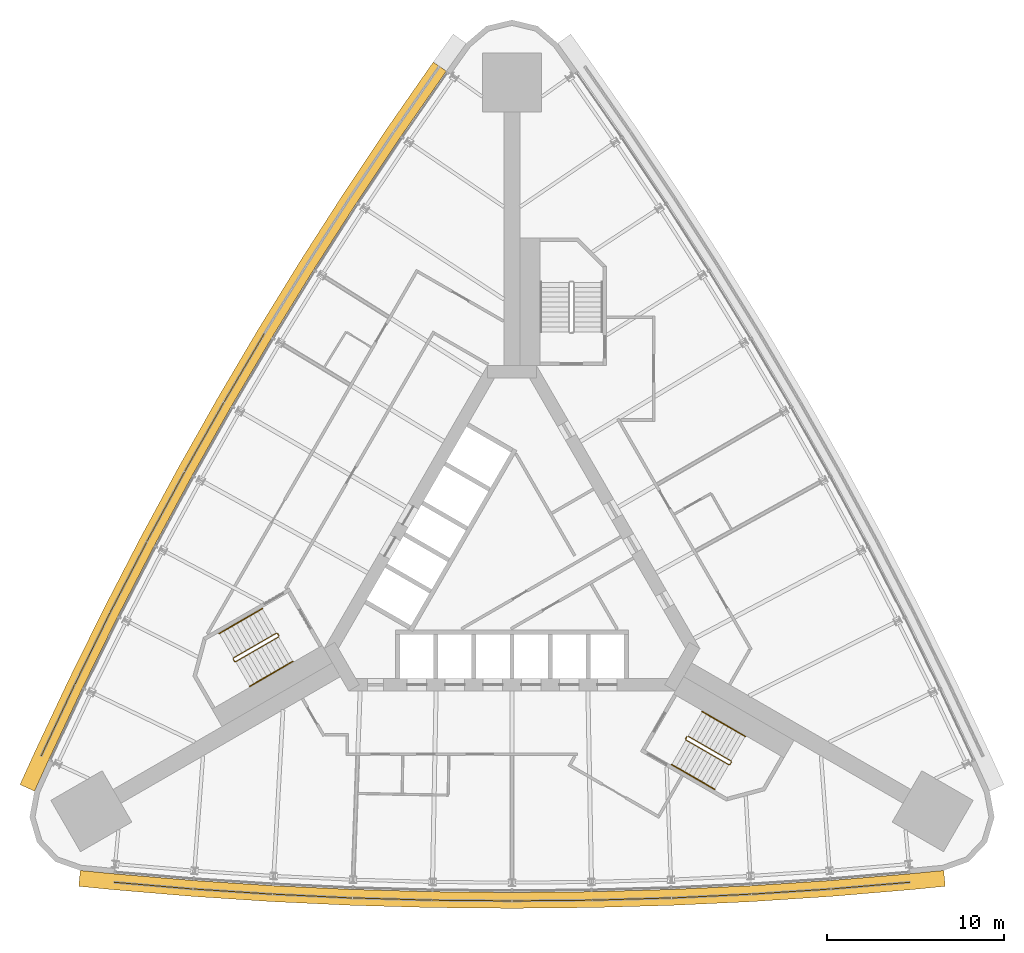
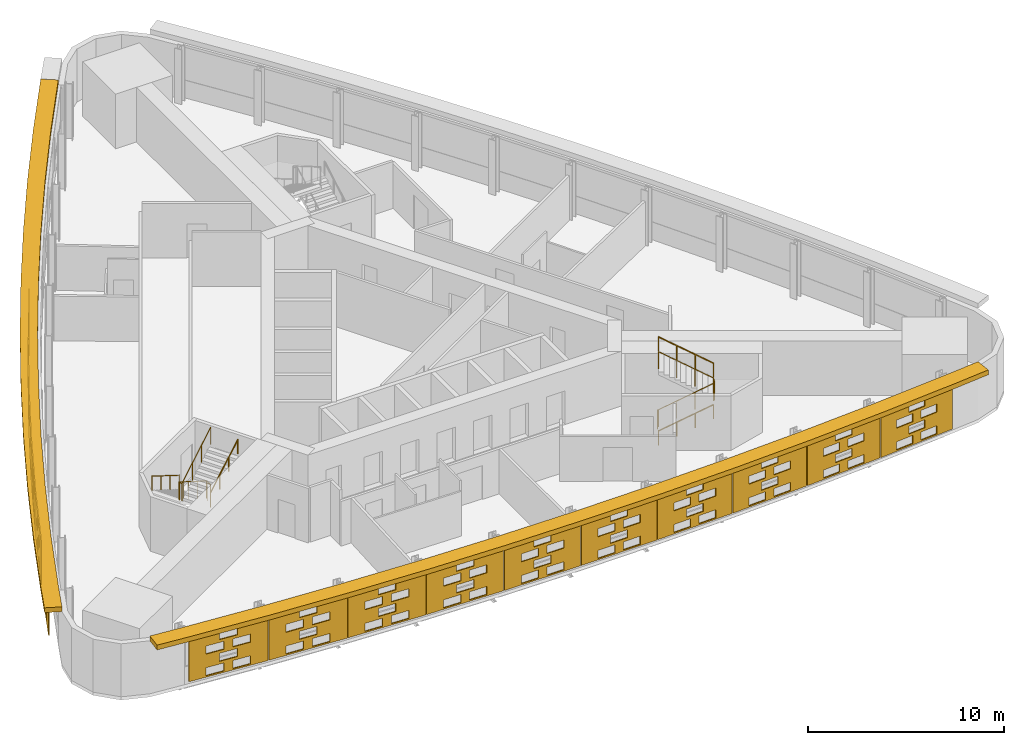
# One storey, part 13 of 14: 18 shading devices, 6 railings.
"""IFC4 building model written with IfcOpenShell, lengths in metres."""

from ifc_helpers import new_model, si_unit, direction, frame, origin, origin_2d, place, context, subcontext, project, spatial, polyline, circle, outline, extrude, material, material_profile, profile_set, type_object, element, save


model = new_model("IFC4")

# Units and contexts
model_context = context("Model", 3, precision=1e-05, world=origin(), true_north=direction((0.0, 1.0)))
body_context = subcontext(model_context, "Body", "Model", "MODEL_VIEW")
ifc_project = project(units=[si_unit("LENGTHUNIT", "METRE"), si_unit("AREAUNIT", "SQUARE_METRE"), si_unit("VOLUMEUNIT", "CUBIC_METRE"), si_unit("PLANEANGLEUNIT", "RADIAN"), si_unit("MASSUNIT", "GRAM", prefix="KILO")], contexts=[model_context])

# Site, building, storey
site_placement = place(None, origin())
site = spatial("IfcSite", under=ifc_project, at=site_placement, CompositionType="ELEMENT")
building_placement = place(site_placement, origin())
building = spatial("IfcBuilding", under=site, at=building_placement, Name="Noor Cloister Tower", CompositionType="ELEMENT")
storey_placement = place(building_placement, frame((0.0, 0.0, 42.0)))
storey = spatial("IfcBuildingStorey", under=building, at=storey_placement, Name="L10", CompositionType="ELEMENT", Elevation=42.0)

# Shading devices
ifc_material_1 = material(Name="Limestone", Category="masonry")
ifc_material_profile = material_profile(ifc_material_1, outline(polyline([(-2.22998046875, -1.35009765625), (2.22998046875, -1.35009765625), (2.22998046875, 1.35009765625), (-2.22998046875, 1.35009765625), (-2.22998046875, -1.35009765625)]), holes=[polyline([(-1.25, -1.263427734375), (-0.25, -1.263427734375), (-0.25, -0.76171875), (-1.25, -0.76171875), (-1.25, -1.263427734375)]), polyline([(0.25, -1.263427734375), (1.25, -1.263427734375), (1.25, -0.76171875), (0.25, -0.76171875), (0.25, -1.263427734375)]), polyline([(-0.5, -0.58837890625), (0.5, -0.58837890625), (0.5, -0.086669921875), (-0.5, -0.086669921875), (-0.5, -0.58837890625)]), polyline([(-1.25, 0.086669921875), (-0.25, 0.086669921875), (-0.25, 0.58837890625), (-1.25, 0.58837890625), (-1.25, 0.086669921875)]), polyline([(0.25, 0.086669921875), (1.25, 0.086669921875), (1.25, 0.58837890625), (0.25, 0.58837890625), (0.25, 0.086669921875)]), polyline([(-0.5, 0.76171875), (0.5, 0.76171875), (0.5, 1.263427734375), (-0.5, 1.263427734375), (-0.5, 0.76171875)])]), Name="Woven screen 25 percent open")
ifc_profile_set = profile_set([ifc_material_profile], Name="Limestone")
shading_device_type_1 = type_object("IfcShadingDeviceType", Name="SCREEN woven limestone 25 percent open", PredefinedType="USERDEFINED", material=ifc_profile_set)
shading_device_1_placement = place(storey_placement, frame((-15.0986328125, 11.320068359375, 1.85009765625), z_axis=(-0.862144217858, 0.506662952675, 0.0), x_axis=(-0.506662952675, -0.862144217858, 0.0)))
element("IfcShadingDevice", 1, at=shading_device_1_placement, inside=storey, type_object=shading_device_type_1, Name="SCREEN L10 5", ObjectType="SCREEN", PredefinedType="USERDEFINED", context=body_context, shape_type="SweptSolid", body=[
    extrude(outline(polyline([(-2.22998046875, -1.35009765625), (2.22998046875, -1.35009765625), (2.22998046875, 1.35009765625), (-2.22998046875, 1.35009765625), (-2.22998046875, -1.35009765625)]), holes=[polyline([(-1.25, -1.263427734375), (-0.25, -1.263427734375), (-0.25, -0.76171875), (-1.25, -0.76171875), (-1.25, -1.263427734375)]), polyline([(0.25, -1.263427734375), (1.25, -1.263427734375), (1.25, -0.76171875), (0.25, -0.76171875), (0.25, -1.263427734375)]), polyline([(-0.5, -0.58837890625), (0.5, -0.58837890625), (0.5, -0.086669921875), (-0.5, -0.086669921875), (-0.5, -0.58837890625)]), polyline([(-1.25, 0.086669921875), (-0.25, 0.086669921875), (-0.25, 0.58837890625), (-1.25, 0.58837890625), (-1.25, 0.086669921875)]), polyline([(0.25, 0.086669921875), (1.25, 0.086669921875), (1.25, 0.58837890625), (0.25, 0.58837890625), (0.25, 0.086669921875)]), polyline([(-0.5, 0.76171875), (0.5, 0.76171875), (0.5, 1.263427734375), (-0.5, 1.263427734375), (-0.5, 0.76171875)])]), origin(), (0.0, 0.0, 1.0), 0.059814453125),
])
for number, where, z_axis, x_axis, name in (
    (2, (-17.3525390625, 7.415771484375, 1.85009765625), (-0.87048706901, 0.492191286683, 0.0), (-0.492191286683, -0.87048706901, 0.0), "SCREEN L10 6"),
    (3, (-19.533203125, 3.469970703125, 1.85009765625), (-0.879291966537, 0.476283148541, 0.0), (-0.476283148541, -0.879291966537, 0.0), "SCREEN L10 7"),
    (4, (-21.6396484375, -0.515869140625, 1.85009765625), (-0.887816162103, 0.460198285861, 0.0), (-0.460198285861, -0.887816162103, 0.0), "SCREEN L10 8"),
):
    element("IfcShadingDevice", number, at=place(storey_placement, frame(where, z_axis=z_axis, x_axis=x_axis)), inside=storey, type_object=shading_device_type_1, Name=name, ObjectType="SCREEN", PredefinedType="USERDEFINED", context=body_context, shape_type="SweptSolid", body=[
        extrude(outline(polyline([(-2.22998046875, -1.35009765625), (2.22998046875, -1.35009765625), (2.22998046875, 1.35009765625), (-2.22998046875, 1.35009765625), (-2.22998046875, -1.35009765625)]), holes=[polyline([(-1.25, -1.263427734375), (-0.25, -1.263427734375), (-0.25, -0.76171875), (-1.25, -0.76171875), (-1.25, -1.263427734375)]), polyline([(0.25, -1.263427734375), (1.25, -1.263427734375), (1.25, -0.76171875), (0.25, -0.76171875), (0.25, -1.263427734375)]), polyline([(-0.5, -0.58837890625), (0.5, -0.58837890625), (0.5, -0.086669921875), (-0.5, -0.086669921875), (-0.5, -0.58837890625)]), polyline([(-1.25, 0.086669921875), (-0.25, 0.086669921875), (-0.25, 0.58837890625), (-1.25, 0.58837890625), (-1.25, 0.086669921875)]), polyline([(0.25, 0.086669921875), (1.25, 0.086669921875), (1.25, 0.58837890625), (0.25, 0.58837890625), (0.25, 0.086669921875)]), polyline([(-0.5, 0.76171875), (0.5, 0.76171875), (0.5, 1.263427734375), (-0.5, 1.263427734375), (-0.5, 0.76171875)])]), origin(), (0.0, 0.0, 1.0), 0.06005859375),
    ])
for number, where, z_axis, x_axis, name in (
    (5, (-23.6708984375, -4.540283203125, 1.85009765625), (-0.897667610562, 0.440673190639, 0.0), (-0.440673190639, -0.897667610562, 0.0), "SCREEN L10 9"),
    (6, (-25.62646484375, -8.602294921875, 1.85009765625), (-0.905556888257, 0.424224848553, 0.0), (-0.424224848553, -0.905556888257, 0.0), "SCREEN L10 10"),
):
    element("IfcShadingDevice", number, at=place(storey_placement, frame(where, z_axis=z_axis, x_axis=x_axis)), inside=storey, type_object=shading_device_type_1, Name=name, ObjectType="SCREEN", PredefinedType="USERDEFINED", context=body_context, shape_type="SweptSolid", body=[
        extrude(outline(polyline([(-2.22998046875, -1.35009765625), (2.22998046875, -1.35009765625), (2.22998046875, 1.35009765625), (-2.22998046875, 1.35009765625), (-2.22998046875, -1.35009765625)]), holes=[polyline([(-1.25, -1.263427734375), (-0.25, -1.263427734375), (-0.25, -0.76171875), (-1.25, -0.76171875), (-1.25, -1.263427734375)]), polyline([(0.25, -1.263427734375), (1.25, -1.263427734375), (1.25, -0.76171875), (0.25, -0.76171875), (0.25, -1.263427734375)]), polyline([(-0.5, -0.58837890625), (0.5, -0.58837890625), (0.5, -0.086669921875), (-0.5, -0.086669921875), (-0.5, -0.58837890625)]), polyline([(-1.25, 0.086669921875), (-0.25, 0.086669921875), (-0.25, 0.58837890625), (-1.25, 0.58837890625), (-1.25, 0.086669921875)]), polyline([(0.25, 0.086669921875), (1.25, 0.086669921875), (1.25, 0.58837890625), (0.25, 0.58837890625), (0.25, 0.086669921875)]), polyline([(-0.5, 0.76171875), (0.5, 0.76171875), (0.5, 1.263427734375), (-0.5, 1.263427734375), (-0.5, 0.76171875)])]), origin(), (0.0, 0.0, 1.0), 0.059814453125),
    ])
shading_device_2_placement = place(storey_placement, frame((-20.262939453125, -17.891845703125, 1.85009765625), z_axis=(-0.085401141346, -0.996346649042, 0.0), x_axis=(0.996346649042, -0.085401141346, 0.0)))
element("IfcShadingDevice", 7, at=shading_device_2_placement, inside=storey, type_object=shading_device_type_1, Name="SCREEN L10 1", ObjectType="SCREEN", PredefinedType="USERDEFINED", context=body_context, shape_type="SweptSolid", body=[
    extrude(outline(polyline([(-2.22998046875, -1.35009765625), (2.22998046875, -1.35009765625), (2.22998046875, 1.35009765625), (-2.22998046875, 1.35009765625), (-2.22998046875, -1.35009765625)]), holes=[polyline([(-1.25, -1.263427734375), (-0.25, -1.263427734375), (-0.25, -0.76171875), (-1.25, -0.76171875), (-1.25, -1.263427734375)]), polyline([(0.25, -1.263427734375), (1.25, -1.263427734375), (1.25, -0.76171875), (0.25, -0.76171875), (0.25, -1.263427734375)]), polyline([(-0.5, -0.58837890625), (0.5, -0.58837890625), (0.5, -0.086669921875), (-0.5, -0.086669921875), (-0.5, -0.58837890625)]), polyline([(-1.25, 0.086669921875), (-0.25, 0.086669921875), (-0.25, 0.58837890625), (-1.25, 0.58837890625), (-1.25, 0.086669921875)]), polyline([(0.25, 0.086669921875), (1.25, 0.086669921875), (1.25, 0.58837890625), (0.25, 0.58837890625), (0.25, 0.086669921875)]), polyline([(-0.5, 0.76171875), (0.5, 0.76171875), (0.5, 1.263427734375), (-0.5, 1.263427734375), (-0.5, 0.76171875)])]), origin(), (0.0, 0.0, 1.0), 0.06005859375),
])
shading_device_3_placement = place(storey_placement, frame((-15.767578125, -18.229248046875, 1.85009765625), z_axis=(-0.064903515062, -0.997891544073, 0.0), x_axis=(0.997891544073, -0.064903515062, 0.0)))
element("IfcShadingDevice", 8, at=shading_device_3_placement, inside=storey, type_object=shading_device_type_1, Name="SCREEN L10 2", ObjectType="SCREEN", PredefinedType="USERDEFINED", context=body_context, shape_type="SweptSolid", body=[
    extrude(outline(polyline([(-2.22998046875, -1.35009765625), (2.22998046875, -1.35009765625), (2.22998046875, 1.35009765625), (-2.22998046875, 1.35009765625), (-2.22998046875, -1.35009765625)]), holes=[polyline([(-1.25, -1.263427734375), (-0.25, -1.263427734375), (-0.25, -0.76171875), (-1.25, -0.76171875), (-1.25, -1.263427734375)]), polyline([(0.25, -1.263427734375), (1.25, -1.263427734375), (1.25, -0.76171875), (0.25, -0.76171875), (0.25, -1.263427734375)]), polyline([(-0.5, -0.58837890625), (0.5, -0.58837890625), (0.5, -0.086669921875), (-0.5, -0.086669921875), (-0.5, -0.58837890625)]), polyline([(-1.25, 0.086669921875), (-0.25, 0.086669921875), (-0.25, 0.58837890625), (-1.25, 0.58837890625), (-1.25, 0.086669921875)]), polyline([(0.25, 0.086669921875), (1.25, 0.086669921875), (1.25, 0.58837890625), (0.25, 0.58837890625), (0.25, 0.086669921875)]), polyline([(-0.5, 0.76171875), (0.5, 0.76171875), (0.5, 1.263427734375), (-0.5, 1.263427734375), (-0.5, 0.76171875)])]), origin(), (0.0, 0.0, 1.0), 0.060302734375),
])
shading_device_4_placement = place(storey_placement, frame((-11.266357421875, -18.482421875, 1.85009765625), z_axis=(-0.048722553713, -0.998812351125, 0.0), x_axis=(0.998812351125, -0.048722553713, 0.0)))
element("IfcShadingDevice", 9, at=shading_device_4_placement, inside=storey, type_object=shading_device_type_1, Name="SCREEN L10 3", ObjectType="SCREEN", PredefinedType="USERDEFINED", context=body_context, shape_type="SweptSolid", body=[
    extrude(outline(polyline([(-2.22998046875, -1.35009765625), (2.22998046875, -1.35009765625), (2.22998046875, 1.35009765625), (-2.22998046875, 1.35009765625), (-2.22998046875, -1.35009765625)]), holes=[polyline([(-1.25, -1.263427734375), (-0.25, -1.263427734375), (-0.25, -0.76171875), (-1.25, -0.76171875), (-1.25, -1.263427734375)]), polyline([(0.25, -1.263427734375), (1.25, -1.263427734375), (1.25, -0.76171875), (0.25, -0.76171875), (0.25, -1.263427734375)]), polyline([(-0.5, -0.58837890625), (0.5, -0.58837890625), (0.5, -0.086669921875), (-0.5, -0.086669921875), (-0.5, -0.58837890625)]), polyline([(-1.25, 0.086669921875), (-0.25, 0.086669921875), (-0.25, 0.58837890625), (-1.25, 0.58837890625), (-1.25, 0.086669921875)]), polyline([(0.25, 0.086669921875), (1.25, 0.086669921875), (1.25, 0.58837890625), (0.25, 0.58837890625), (0.25, 0.086669921875)]), polyline([(-0.5, 0.76171875), (0.5, 0.76171875), (0.5, 1.263427734375), (-0.5, 1.263427734375), (-0.5, 0.76171875)])]), origin(), (0.0, 0.0, 1.0), 0.06005859375),
])
for number, where, z_axis, x_axis, name in (
    (10, (-6.761474609375, -18.6513671875, 1.85009765625), (-0.028559773899, -0.999592086461, 0.0), (0.999592086461, -0.028559773899, 0.0), "SCREEN L10 4"),
    (11, (-2.254150390625, -18.73583984375, 1.85009765625), (-0.008162993324, -0.999966682215, 0.0), (0.999966682215, -0.008162993324, 0.0), "SCREEN L10 5"),
    (12, (2.254150390625, -18.73583984375, 1.85009765625), (0.008162993324, -0.999966682215, 0.0), (0.999966682215, 0.008162993324, 0.0), "SCREEN L10 6"),
    (13, (6.761474609375, -18.6513671875, 1.85009765625), (0.028559773899, -0.999592086461, 0.0), (0.999592086461, 0.028559773899, 0.0), "SCREEN L10 7"),
):
    element("IfcShadingDevice", number, at=place(storey_placement, frame(where, z_axis=z_axis, x_axis=x_axis)), inside=storey, type_object=shading_device_type_1, Name=name, ObjectType="SCREEN", PredefinedType="USERDEFINED", context=body_context, shape_type="SweptSolid", body=[
        extrude(outline(polyline([(-2.22998046875, -1.35009765625), (2.22998046875, -1.35009765625), (2.22998046875, 1.35009765625), (-2.22998046875, 1.35009765625), (-2.22998046875, -1.35009765625)]), holes=[polyline([(-1.25, -1.263427734375), (-0.25, -1.263427734375), (-0.25, -0.76171875), (-1.25, -0.76171875), (-1.25, -1.263427734375)]), polyline([(0.25, -1.263427734375), (1.25, -1.263427734375), (1.25, -0.76171875), (0.25, -0.76171875), (0.25, -1.263427734375)]), polyline([(-0.5, -0.58837890625), (0.5, -0.58837890625), (0.5, -0.086669921875), (-0.5, -0.086669921875), (-0.5, -0.58837890625)]), polyline([(-1.25, 0.086669921875), (-0.25, 0.086669921875), (-0.25, 0.58837890625), (-1.25, 0.58837890625), (-1.25, 0.086669921875)]), polyline([(0.25, 0.086669921875), (1.25, 0.086669921875), (1.25, 0.58837890625), (0.25, 0.58837890625), (0.25, 0.086669921875)]), polyline([(-0.5, 0.76171875), (0.5, 0.76171875), (0.5, 1.263427734375), (-0.5, 1.263427734375), (-0.5, 0.76171875)])]), origin(), (0.0, 0.0, 1.0), 0.059814453125),
    ])
shading_device_5_placement = place(storey_placement, frame((11.266357421875, -18.482421875, 1.85009765625), z_axis=(0.048722553713, -0.998812351125, 0.0), x_axis=(0.998812351125, 0.048722553713, 0.0)))
element("IfcShadingDevice", 14, at=shading_device_5_placement, inside=storey, type_object=shading_device_type_1, Name="SCREEN L10 8", ObjectType="SCREEN", PredefinedType="USERDEFINED", context=body_context, shape_type="SweptSolid", body=[
    extrude(outline(polyline([(-2.22998046875, -1.35009765625), (2.22998046875, -1.35009765625), (2.22998046875, 1.35009765625), (-2.22998046875, 1.35009765625), (-2.22998046875, -1.35009765625)]), holes=[polyline([(-1.25, -1.263427734375), (-0.25, -1.263427734375), (-0.25, -0.76171875), (-1.25, -0.76171875), (-1.25, -1.263427734375)]), polyline([(0.25, -1.263427734375), (1.25, -1.263427734375), (1.25, -0.76171875), (0.25, -0.76171875), (0.25, -1.263427734375)]), polyline([(-0.5, -0.58837890625), (0.5, -0.58837890625), (0.5, -0.086669921875), (-0.5, -0.086669921875), (-0.5, -0.58837890625)]), polyline([(-1.25, 0.086669921875), (-0.25, 0.086669921875), (-0.25, 0.58837890625), (-1.25, 0.58837890625), (-1.25, 0.086669921875)]), polyline([(0.25, 0.086669921875), (1.25, 0.086669921875), (1.25, 0.58837890625), (0.25, 0.58837890625), (0.25, 0.086669921875)]), polyline([(-0.5, 0.76171875), (0.5, 0.76171875), (0.5, 1.263427734375), (-0.5, 1.263427734375), (-0.5, 0.76171875)])]), origin(), (0.0, 0.0, 1.0), 0.06005859375),
])
shading_device_6_placement = place(storey_placement, frame((15.767578125, -18.229248046875, 1.85009765625), z_axis=(0.064903515062, -0.997891544073, 0.0), x_axis=(0.997891544073, 0.064903515062, 0.0)))
element("IfcShadingDevice", 15, at=shading_device_6_placement, inside=storey, type_object=shading_device_type_1, Name="SCREEN L10 9", ObjectType="SCREEN", PredefinedType="USERDEFINED", context=body_context, shape_type="SweptSolid", body=[
    extrude(outline(polyline([(-2.22998046875, -1.35009765625), (2.22998046875, -1.35009765625), (2.22998046875, 1.35009765625), (-2.22998046875, 1.35009765625), (-2.22998046875, -1.35009765625)]), holes=[polyline([(-1.25, -1.263427734375), (-0.25, -1.263427734375), (-0.25, -0.76171875), (-1.25, -0.76171875), (-1.25, -1.263427734375)]), polyline([(0.25, -1.263427734375), (1.25, -1.263427734375), (1.25, -0.76171875), (0.25, -0.76171875), (0.25, -1.263427734375)]), polyline([(-0.5, -0.58837890625), (0.5, -0.58837890625), (0.5, -0.086669921875), (-0.5, -0.086669921875), (-0.5, -0.58837890625)]), polyline([(-1.25, 0.086669921875), (-0.25, 0.086669921875), (-0.25, 0.58837890625), (-1.25, 0.58837890625), (-1.25, 0.086669921875)]), polyline([(0.25, 0.086669921875), (1.25, 0.086669921875), (1.25, 0.58837890625), (0.25, 0.58837890625), (0.25, 0.086669921875)]), polyline([(-0.5, 0.76171875), (0.5, 0.76171875), (0.5, 1.263427734375), (-0.5, 1.263427734375), (-0.5, 0.76171875)])]), origin(), (0.0, 0.0, 1.0), 0.060302734375),
])
shading_device_7_placement = place(storey_placement, frame((20.262939453125, -17.891845703125, 1.85009765625), z_axis=(0.085401141346, -0.996346649042, 0.0), x_axis=(0.996346649042, 0.085401141346, 0.0)))
element("IfcShadingDevice", 16, at=shading_device_7_placement, inside=storey, type_object=shading_device_type_1, Name="SCREEN L10 10", ObjectType="SCREEN", PredefinedType="USERDEFINED", context=body_context, shape_type="SweptSolid", body=[
    extrude(outline(polyline([(-2.22998046875, -1.35009765625), (2.22998046875, -1.35009765625), (2.22998046875, 1.35009765625), (-2.22998046875, 1.35009765625), (-2.22998046875, -1.35009765625)]), holes=[polyline([(-1.25, -1.263427734375), (-0.25, -1.263427734375), (-0.25, -0.76171875), (-1.25, -0.76171875), (-1.25, -1.263427734375)]), polyline([(0.25, -1.263427734375), (1.25, -1.263427734375), (1.25, -0.76171875), (0.25, -0.76171875), (0.25, -1.263427734375)]), polyline([(-0.5, -0.58837890625), (0.5, -0.58837890625), (0.5, -0.086669921875), (-0.5, -0.086669921875), (-0.5, -0.58837890625)]), polyline([(-1.25, 0.086669921875), (-0.25, 0.086669921875), (-0.25, 0.58837890625), (-1.25, 0.58837890625), (-1.25, 0.086669921875)]), polyline([(0.25, 0.086669921875), (1.25, 0.086669921875), (1.25, 0.58837890625), (0.25, 0.58837890625), (0.25, 0.086669921875)]), polyline([(-0.5, 0.76171875), (0.5, 0.76171875), (0.5, 1.263427734375), (-0.5, 1.263427734375), (-0.5, 0.76171875)])]), origin(), (0.0, 0.0, 1.0), 0.06005859375),
])
ifc_material_2 = material(Name="Limestone", Category="masonry")
shading_device_type_2 = type_object("IfcShadingDeviceType", Name="SUNSHADE limestone band 900", PredefinedType="USERDEFINED", material=ifc_material_2)
shading_device_8_placement = place(storey_placement, frame((0.0, 0.0, 3.300048828125)))
element("IfcShadingDevice", 17, at=shading_device_8_placement, inside=storey, type_object=shading_device_type_2, Name="SUNSHADE L10 1", ObjectType="SUNSHADE", PredefinedType="USERDEFINED", context=body_context, shape_type="SweptSolid", body=[
    extrude(outline(polyline([(-4.44775390625, 28.59814453125), (-7.0224609375, 24.8974609375), (-9.5322265625, 21.14208984375), (-11.971435546875, 17.34033203125), (-14.338623046875, 13.49365234375), (-16.633544921875, 9.603515625), (-18.855224609375, 5.6708984375), (-21.0029296875, 1.697265625), (-23.07568359375, -2.31591796875), (-25.072998046875, -6.366943359375), (-26.9931640625, -10.45263671875), (-27.79248046875, -12.21435546875), (-26.972900390625, -12.586181640625), (-26.176025390625, -10.830078125), (-24.26220703125, -6.75732421875), (-22.272216796875, -2.721435546875), (-20.207275390625, 1.27685546875), (-18.067626953125, 5.2353515625), (-15.854248046875, 9.1533203125), (-13.56787109375, 13.029296875), (-11.209228515625, 16.861572265625), (-8.779296875, 20.64892578125), (-6.279052734375, 24.390380859375), (-3.708984375, 28.084228515625), (-4.44775390625, 28.59814453125)])), origin(), (0.0, 0.0, 1.0), 0.300048828125),
])
shading_device_9_placement = place(storey_placement, frame((0.0, 0.0, 3.300048828125)))
element("IfcShadingDevice", 18, at=shading_device_9_placement, inside=storey, type_object=shading_device_type_2, Name="SUNSHADE L10 2", ObjectType="SUNSHADE", PredefinedType="USERDEFINED", context=body_context, shape_type="SweptSolid", body=[
    extrude(outline(polyline([(-24.47412109375, -17.9619140625), (-22.548828125, -18.150390625), (-18.050537109375, -18.530517578125), (-13.54345703125, -18.826416015625), (-9.031494140625, -19.03759765625), (-4.5166015625, -19.16455078125), (0.0, -19.206787109375), (4.5166015625, -19.16455078125), (9.031494140625, -19.03759765625), (13.54345703125, -18.826416015625), (18.050537109375, -18.530517578125), (22.548828125, -18.150390625), (24.47412109375, -17.9619140625), (24.386474609375, -17.066162109375), (22.467041015625, -17.254150390625), (17.983154296875, -17.633056640625), (13.492919921875, -17.927734375), (8.997802734375, -18.13818359375), (4.499755859375, -18.2646484375), (0.0, -18.306884765625), (-4.499755859375, -18.2646484375), (-8.997802734375, -18.13818359375), (-13.492919921875, -17.927734375), (-17.983154296875, -17.633056640625), (-22.467041015625, -17.254150390625), (-24.386474609375, -17.066162109375), (-24.47412109375, -17.9619140625)])), origin(), (0.0, 0.0, 1.0), 0.300048828125),
])

# Railings
ifc_material_3 = material(Name="Stainless steel", Category="steel")
railing_type_1 = type_object("IfcRailingType", Name="Stair guard 1100", PredefinedType="GUARDRAIL", material=ifc_material_3)
railing_1_placement = place(storey_placement, frame((-13.241455078125, -3.677734375, 0.0)))
element("IfcRailing", 19, at=railing_1_placement, inside=storey, type_object=railing_type_1, Name="Stair guard ST2 L10", PredefinedType="GUARDRAIL", context=body_context, shape_type="SweptSolid", body=[
    extrude(circle(Radius=0.02392578125, at=origin_2d()), frame((0.0, 0.0, 1.076171875), z_axis=(0.499112439033, -0.866537231285, 0.0), x_axis=(0.866537231285, 0.499112439033, 0.0)), (0.0, 0.0, 1.0), 0.150146484375),
    extrude(circle(Radius=0.02392578125, at=origin_2d()), frame((0.074951171875, -0.130126953125, 1.076171875), z_axis=(-0.544565797804, 0.563119998752, 0.621565731736), x_axis=(-0.718850276695, -0.695164929852, 0.0)), (0.0, 0.0, 1.0), 0.26318359375),
    extrude(circle(Radius=0.02392578125, at=origin_2d()), frame((-0.068359375, 0.01806640625, 1.23974609375), z_axis=(-0.747689811644, -0.431660630283, 0.504607813879), x_axis=(0.49998411664, -0.866034573852, 0.0)), (0.0, 0.0, 1.0), 3.2431640625),
    extrude(circle(Radius=0.02392578125, at=origin_2d()), frame((-2.4931640625, -1.3818359375, 2.8759765625), z_axis=(-0.258736085224, -0.965948051503, 0.0), x_axis=(0.965948051503, -0.258736085224, 0.0)), (0.0, 0.0, 1.0), 0.07080078125),
    extrude(circle(Radius=0.02392578125, at=origin_2d()), frame((-2.511474609375, -1.4501953125, 2.8759765625), z_axis=(0.499816412211, -0.866131372301, 0.0), x_axis=(0.866131372301, 0.499816412211, 0.0)), (0.0, 0.0, 1.0), 0.14990234375),
    extrude(circle(Radius=0.02392578125, at=origin_2d()), frame((-2.4365234375, -1.580078125, 2.8759765625), z_axis=(0.383552647116, -0.102737316192, 0.917786691313), x_axis=(0.258736085224, 0.965948051503, 0.0)), (0.0, 0.0, 1.0), 0.17822265625),
    extrude(circle(Radius=0.02392578125, at=origin_2d()), frame((-2.3681640625, -1.598388671875, 3.03955078125), z_axis=(0.747665513933, 0.431721881032, 0.504591415616), x_axis=(-0.500049511043, 0.865996816683, 0.0)), (0.0, 0.0, 1.0), 3.2431640625),
    extrude(circle(Radius=0.02099609375, at=origin_2d()), origin(), (0.0, 0.0, 1.0), 1.052001953125),
    extrude(circle(Radius=0.02099609375, at=origin_2d()), frame((0.074951171875, -0.130126953125, 0.0)), (0.0, 0.0, 1.0), 1.052001953125),
    extrude(circle(Radius=0.02099609375, at=origin_2d()), frame((-0.068359375, 0.01806640625, 0.16357421875)), (0.0, 0.0, 1.0), 1.052001953125),
    extrude(circle(Radius=0.02099609375, at=origin_2d()), frame((-0.876708984375, -0.448486328125, 0.708984375)), (0.0, 0.0, 1.0), 1.052001953125),
    extrude(circle(Radius=0.02099609375, at=origin_2d()), frame((-1.684814453125, -0.915283203125, 1.254638671875)), (0.0, 0.0, 1.0), 1.052001953125),
    extrude(circle(Radius=0.02099609375, at=origin_2d()), frame((-2.4931640625, -1.3818359375, 1.800048828125)), (0.0, 0.0, 1.0), 1.052001953125),
    extrude(circle(Radius=0.02099609375, at=origin_2d()), frame((-2.511474609375, -1.4501953125, 1.800048828125)), (0.0, 0.0, 1.0), 1.052001953125),
    extrude(circle(Radius=0.02099609375, at=origin_2d()), frame((-2.4365234375, -1.580078125, 1.800048828125)), (0.0, 0.0, 1.0), 1.052001953125),
    extrude(circle(Radius=0.02099609375, at=origin_2d()), frame((-2.3681640625, -1.598388671875, 1.963623046875)), (0.0, 0.0, 1.0), 1.052001953125),
    extrude(circle(Radius=0.02099609375, at=origin_2d()), frame((-1.559814453125, -1.131591796875, 2.509033203125)), (0.0, 0.0, 1.0), 1.052001953125),
    extrude(circle(Radius=0.02099609375, at=origin_2d()), frame((-0.751708984375, -0.6650390625, 3.0546875)), (0.0, 0.0, 1.0), 1.052001953125),
    extrude(circle(Radius=0.02099609375, at=origin_2d()), frame((0.056640625, -0.1982421875, 3.60009765625)), (0.0, 0.0, 1.0), 1.052001953125),
])
railing_2_placement = place(storey_placement, frame((9.805908203125, -9.628662109375, 0.0)))
element("IfcRailing", 20, at=railing_2_placement, inside=storey, type_object=railing_type_1, Name="Stair guard ST3 L10", PredefinedType="GUARDRAIL", context=body_context, shape_type="SweptSolid", body=[
    extrude(circle(Radius=0.02392578125, at=origin_2d()), frame((0.0, 0.0, 1.076171875), z_axis=(0.499112439033, 0.866537231285, 0.0), x_axis=(-0.866537231285, 0.499112439033, 0.0)), (0.0, 0.0, 1.0), 0.150146484375),
    extrude(circle(Radius=0.02392578125, at=origin_2d()), frame((0.074951171875, 0.130126953125, 1.076171875), z_axis=(-0.215214839654, -0.753251938789, 0.621525614518), x_axis=(0.961523947641, -0.274721127897, 0.0)), (0.0, 0.0, 1.0), 0.26318359375),
    extrude(circle(Radius=0.02392578125, at=origin_2d()), frame((0.018310546875, -0.068115234375, 1.23974609375), z_axis=(0.747665513933, -0.431721881032, 0.504591415616), x_axis=(0.500049511043, 0.865996816683, 0.0)), (0.0, 0.0, 1.0), 3.2431640625),
    extrude(circle(Radius=0.02392578125, at=origin_2d()), frame((2.443115234375, -1.46826171875, 2.8759765625), z_axis=(0.965948051503, 0.258736085224, 0.0), x_axis=(-0.258736085224, 0.965948051503, 0.0)), (0.0, 0.0, 1.0), 0.07080078125),
    extrude(circle(Radius=0.02392578125, at=origin_2d()), frame((2.511474609375, -1.449951171875, 2.8759765625), z_axis=(0.499816412211, 0.866131372301, 0.0), x_axis=(-0.866131372301, 0.499816412211, 0.0)), (0.0, 0.0, 1.0), 0.14990234375),
    extrude(circle(Radius=0.02392578125, at=origin_2d()), frame((2.58642578125, -1.320068359375, 2.8759765625), z_axis=(-0.102737316192, 0.383552647116, 0.917786691313), x_axis=(-0.965948051503, -0.258736085224, 0.0)), (0.0, 0.0, 1.0), 0.17822265625),
    extrude(circle(Radius=0.02392578125, at=origin_2d()), frame((2.568115234375, -1.251708984375, 3.03955078125), z_axis=(-0.747689811644, 0.431660630283, 0.504607813879), x_axis=(-0.49998411664, -0.866034573852, 0.0)), (0.0, 0.0, 1.0), 3.2431640625),
    extrude(circle(Radius=0.02099609375, at=origin_2d()), origin(), (0.0, 0.0, 1.0), 1.052001953125),
    extrude(circle(Radius=0.02099609375, at=origin_2d()), frame((0.074951171875, 0.130126953125, 0.0)), (0.0, 0.0, 1.0), 1.052001953125),
    extrude(circle(Radius=0.02099609375, at=origin_2d()), frame((0.018310546875, -0.068115234375, 0.16357421875)), (0.0, 0.0, 1.0), 1.052001953125),
    extrude(circle(Radius=0.02099609375, at=origin_2d()), frame((0.82666015625, -0.534912109375, 0.708984375)), (0.0, 0.0, 1.0), 1.052001953125),
    extrude(circle(Radius=0.02099609375, at=origin_2d()), frame((1.634765625, -1.00146484375, 1.254638671875)), (0.0, 0.0, 1.0), 1.052001953125),
    extrude(circle(Radius=0.02099609375, at=origin_2d()), frame((2.443115234375, -1.46826171875, 1.800048828125)), (0.0, 0.0, 1.0), 1.052001953125),
    extrude(circle(Radius=0.02099609375, at=origin_2d()), frame((2.511474609375, -1.449951171875, 1.800048828125)), (0.0, 0.0, 1.0), 1.052001953125),
    extrude(circle(Radius=0.02099609375, at=origin_2d()), frame((2.58642578125, -1.320068359375, 1.800048828125)), (0.0, 0.0, 1.0), 1.052001953125),
    extrude(circle(Radius=0.02099609375, at=origin_2d()), frame((2.568115234375, -1.251708984375, 1.963623046875)), (0.0, 0.0, 1.0), 1.052001953125),
    extrude(circle(Radius=0.02099609375, at=origin_2d()), frame((1.759765625, -0.78515625, 2.509033203125)), (0.0, 0.0, 1.0), 1.052001953125),
    extrude(circle(Radius=0.02099609375, at=origin_2d()), frame((0.95166015625, -0.318359375, 3.0546875)), (0.0, 0.0, 1.0), 1.052001953125),
    extrude(circle(Radius=0.02099609375, at=origin_2d()), frame((0.143310546875, 0.148193359375, 3.60009765625)), (0.0, 0.0, 1.0), 1.052001953125),
])
ifc_material_4 = material(Name="Stainless steel", Category="steel")
railing_type_2 = type_object("IfcRailingType", Name="Stair handrail 900", PredefinedType="HANDRAIL", material=ifc_material_4)
railing_3_placement = place(storey_placement, frame((-14.10986328125, -2.27392578125, 0.16357421875)))
element("IfcRailing", 21, at=railing_3_placement, inside=storey, type_object=railing_type_2, Name="Stair handrail ST2 L10 1", PredefinedType="HANDRAIL", context=body_context, shape_type="SweptSolid", body=[
    extrude(circle(Radius=0.02392578125, at=origin_2d()), frame((0.0, 0.0, 0.8759765625), z_axis=(-0.747689811644, -0.431660630283, 0.504607813879), x_axis=(0.49998411664, -0.866034573852, 0.0)), (0.0, 0.0, 1.0), 3.2431640625),
    extrude(circle(Radius=0.02099609375, at=origin_2d()), origin(), (0.0, 0.0, 1.0), 0.851806640625),
    extrude(circle(Radius=0.02099609375, at=origin_2d()), frame((-0.808349609375, -0.466552734375, 0.54541015625)), (0.0, 0.0, 1.0), 0.851806640625),
    extrude(circle(Radius=0.02099609375, at=origin_2d()), frame((-1.616455078125, -0.933349609375, 1.091064453125)), (0.0, 0.0, 1.0), 0.851806640625),
    extrude(circle(Radius=0.02099609375, at=origin_2d()), frame((-2.4248046875, -1.39990234375, 1.636474609375)), (0.0, 0.0, 1.0), 0.851806640625),
])
railing_4_placement = place(storey_placement, frame((-14.8095703125, -6.66162109375, 1.963623046875)))
element("IfcRailing", 22, at=railing_4_placement, inside=storey, type_object=railing_type_2, Name="Stair handrail ST2 L10 2", PredefinedType="HANDRAIL", context=body_context, shape_type="SweptSolid", body=[
    extrude(circle(Radius=0.02392578125, at=origin_2d()), frame((0.0, 0.0, 0.8759765625), z_axis=(0.747689811644, 0.431660630283, 0.504607813879), x_axis=(-0.49998411664, 0.866034573852, 0.0)), (0.0, 0.0, 1.0), 3.2431640625),
    extrude(circle(Radius=0.02099609375, at=origin_2d()), origin(), (0.0, 0.0, 1.0), 0.851806640625),
    extrude(circle(Radius=0.02099609375, at=origin_2d()), frame((0.808349609375, 0.466552734375, 0.54541015625)), (0.0, 0.0, 1.0), 0.851806640625),
    extrude(circle(Radius=0.02099609375, at=origin_2d()), frame((1.616455078125, 0.933349609375, 1.091064453125)), (0.0, 0.0, 1.0), 0.851806640625),
    extrude(circle(Radius=0.02099609375, at=origin_2d()), frame((2.4248046875, 1.39990234375, 1.636474609375)), (0.0, 0.0, 1.0), 0.851806640625),
])
railing_5_placement = place(storey_placement, frame((9.024169921875, -11.08251953125, 0.16357421875)))
element("IfcRailing", 23, at=railing_5_placement, inside=storey, type_object=railing_type_2, Name="Stair handrail ST3 L10 1", PredefinedType="HANDRAIL", context=body_context, shape_type="SweptSolid", body=[
    extrude(circle(Radius=0.02392578125, at=origin_2d()), frame((0.0, 0.0, 0.8759765625), z_axis=(0.747689811644, -0.431660630283, 0.504607813879), x_axis=(0.49998411664, 0.866034573852, 0.0)), (0.0, 0.0, 1.0), 3.2431640625),
    extrude(circle(Radius=0.02099609375, at=origin_2d()), origin(), (0.0, 0.0, 1.0), 0.851806640625),
    extrude(circle(Radius=0.02099609375, at=origin_2d()), frame((0.808349609375, -0.466552734375, 0.54541015625)), (0.0, 0.0, 1.0), 0.851806640625),
    extrude(circle(Radius=0.02099609375, at=origin_2d()), frame((1.616455078125, -0.933349609375, 1.091064453125)), (0.0, 0.0, 1.0), 0.851806640625),
    extrude(circle(Radius=0.02099609375, at=origin_2d()), frame((2.4248046875, -1.39990234375, 1.636474609375)), (0.0, 0.0, 1.0), 0.851806640625),
])
railing_6_placement = place(storey_placement, frame((13.174072265625, -9.49462890625, 1.963623046875)))
element("IfcRailing", 24, at=railing_6_placement, inside=storey, type_object=railing_type_2, Name="Stair handrail ST3 L10 2", PredefinedType="HANDRAIL", context=body_context, shape_type="SweptSolid", body=[
    extrude(circle(Radius=0.02392578125, at=origin_2d()), frame((0.0, 0.0, 0.8759765625), z_axis=(-0.747689811644, 0.431660630283, 0.504607813879), x_axis=(-0.49998411664, -0.866034573852, 0.0)), (0.0, 0.0, 1.0), 3.2431640625),
    extrude(circle(Radius=0.02099609375, at=origin_2d()), origin(), (0.0, 0.0, 1.0), 0.851806640625),
    extrude(circle(Radius=0.02099609375, at=origin_2d()), frame((-0.808349609375, 0.466552734375, 0.54541015625)), (0.0, 0.0, 1.0), 0.851806640625),
    extrude(circle(Radius=0.02099609375, at=origin_2d()), frame((-1.616455078125, 0.933349609375, 1.091064453125)), (0.0, 0.0, 1.0), 0.851806640625),
    extrude(circle(Radius=0.02099609375, at=origin_2d()), frame((-2.4248046875, 1.39990234375, 1.636474609375)), (0.0, 0.0, 1.0), 0.851806640625),
])

save(model, "model.ifc")
